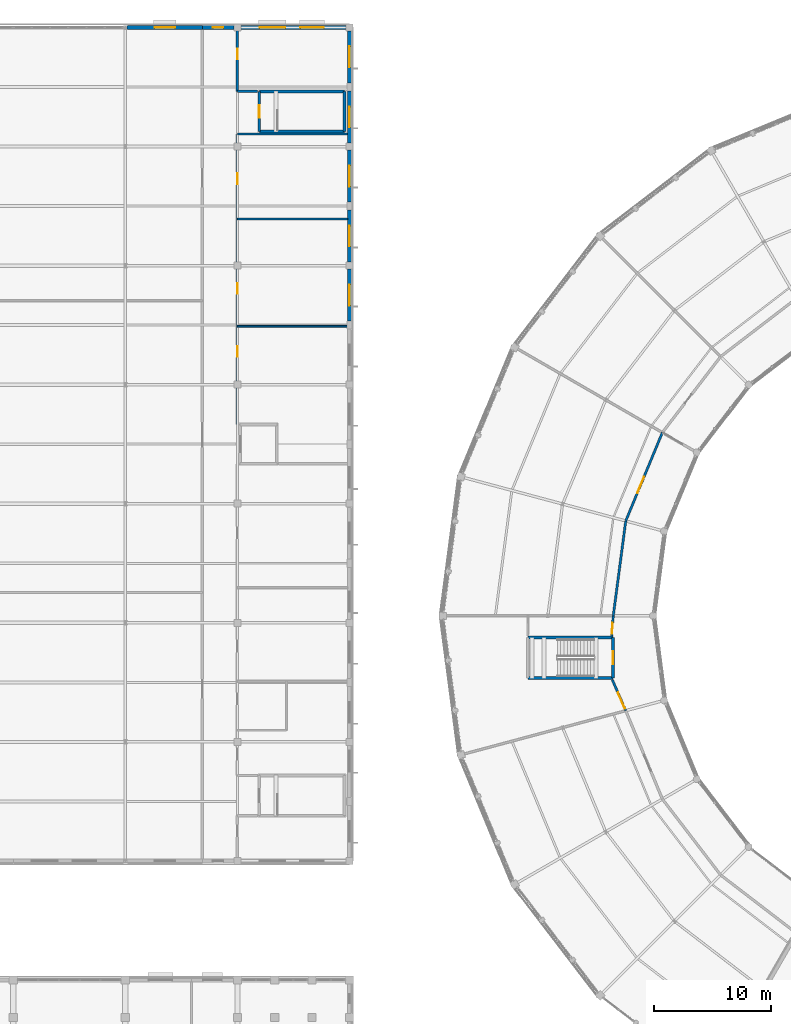
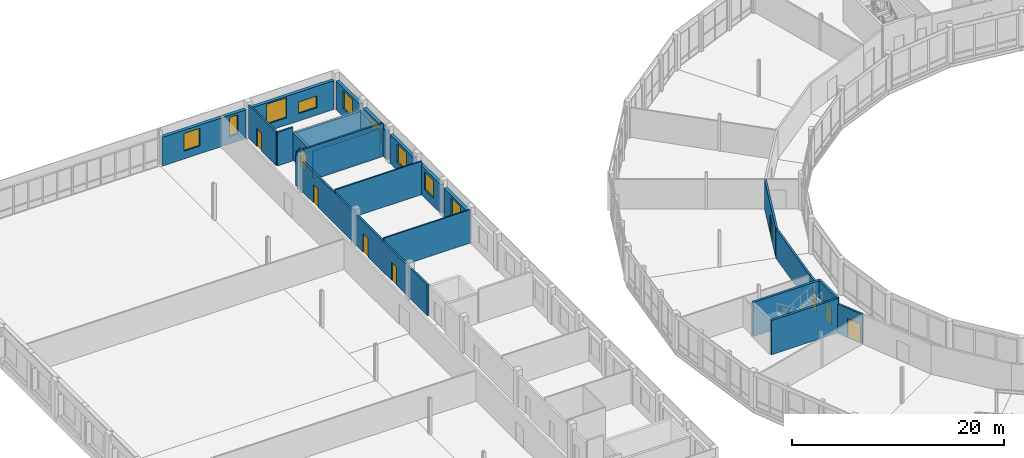
# One storey, part 162 of 185: 25 walls, 9 doors, 9 windows, 18 openings.
"""IFC4 building model written with IfcOpenShell, lengths in metres."""

from ifc_helpers import new_model, si_unit, direction, frame, frame_2d, origin, place, context, subcontext, project, spatial, rectangle, extrude, material, layer, layer_set, type_object, element, fill, save


model = new_model("IFC4")

# Units and contexts
model_context = context("Model", 3, precision=1e-05, world=origin(), true_north=direction((0.0, 1.0)))
body_context = subcontext(model_context, "Body", "Model", "MODEL_VIEW")
ifc_project = project(units=[si_unit("LENGTHUNIT", "METRE"), si_unit("AREAUNIT", "SQUARE_METRE"), si_unit("VOLUMEUNIT", "CUBIC_METRE"), si_unit("PLANEANGLEUNIT", "RADIAN"), si_unit("MASSUNIT", "GRAM", prefix="KILO")], contexts=[model_context])

# Site, building, storey
site_placement = place(None, origin())
site = spatial("IfcSite", under=ifc_project, at=site_placement, CompositionType="ELEMENT")
building_placement = place(site_placement, origin())
building = spatial("IfcBuilding", under=site, at=building_placement, Name="Vondelvale Polytechnic", CompositionType="ELEMENT")
storey_placement = place(building_placement, frame((0.0, 0.0, 9.60009765625)))
storey = spatial("IfcBuildingStorey", under=building, at=storey_placement, Name="L02", CompositionType="ELEMENT", Elevation=9.60009765625)

# Wall, opening, window
ifc_material_1 = material(Name="Amsterdam School iron-spot clinker clay brickwork", Category="masonry")
ifc_layer_1 = layer(ifc_material_1, 0.35009765625)
ifc_layer_set_1 = layer_set([ifc_layer_1], Name="WL-BRICK-350")
wall_type_1 = type_object("IfcWallType", Name="WL-BRICK-350", PredefinedType="SOLIDWALL", material=ifc_layer_set_1)
wall_1_placement = place(storey_placement, frame((48.0, 101.698974609375, 0.0), z_axis=(0.0, 0.0, 1.0), x_axis=(0.0, -1.0, 0.0)))
wall_1 = element("IfcWall", 1, at=wall_1_placement, inside=storey, type_object=wall_type_1, Name="L02 exterior masonry facade wall", PredefinedType="SOLIDWALL", context=body_context, shape_type="SweptSolid", body=[
    extrude(rectangle(XDim=4.447998046875, YDim=0.35009765625, at=frame_2d((2.22412109375, 0.0))), origin(), (0.0, 0.0, 1.0), 3.31982421875),
])
opening_1_placement = place(wall_1_placement, frame((1.323974609375, 0.0, 0.949951171875)))
opening_1 = element("IfcOpeningElement", 2, at=opening_1_placement, cuts=wall_1, Name="Opening WN-0101", PredefinedType="OPENING", context=body_context, shape_type="SweptSolid", body=[
    extrude(rectangle(XDim=1.800048828125, YDim=2.10009765625, at=frame_2d((0.89990234375, 1.050048828125))), frame((0.0, 0.18505859375, 0.0), z_axis=(0.0, -1.0, 0.0), x_axis=(1.0, 0.0, 0.0)), (0.0, 0.0, 1.0), 0.3701171875),
])
ifc_material_2 = material(Name="Double-glazed low-E insulated architectural glass", Category="glass")
window_type_1 = type_object("IfcWindowType", Name="WN-LAB-1800x2100", PartitioningType="SINGLE_PANEL", PredefinedType="WINDOW", material=ifc_material_2)
window_1_placement = place(opening_1_placement, origin())
window_1 = element("IfcWindow", 3, at=window_1_placement, inside=storey, type_object=window_type_1, Name="L02 double-glazed architectural window WN-0101", OverallHeight=2.10009765625, OverallWidth=1.800048828125, PartitioningType="SINGLE_PANEL", PredefinedType="WINDOW", context=body_context, shape_type="SweptSolid", body=[
    extrude(rectangle(XDim=1.800048828125, YDim=2.10009765625, at=frame_2d((0.89990234375, 1.050048828125))), frame((0.0, 0.030029296875, 0.0), z_axis=(0.0, -1.0, 0.0), x_axis=(1.0, 0.0, 0.0)), (0.0, 0.0, 1.0), 0.06005859375),
])
fill(opening_1, window_1)

wall_2_placement = place(storey_placement, frame((48.0, 106.7490234375, 0.0), z_axis=(0.0, 0.0, 1.0), x_axis=(0.0, -1.0, 0.0)))
wall_2 = element("IfcWall", 4, at=wall_2_placement, inside=storey, type_object=wall_type_1, Name="L02 exterior masonry facade wall", PredefinedType="SOLIDWALL", context=body_context, shape_type="SweptSolid", body=[
    extrude(rectangle(XDim=4.447998046875, YDim=0.35009765625, at=frame_2d((2.22412109375, 0.0))), origin(), (0.0, 0.0, 1.0), 3.31982421875),
])
opening_2_placement = place(wall_2_placement, frame((1.34912109375, 0.0, 0.949951171875)))
opening_2 = element("IfcOpeningElement", 5, at=opening_2_placement, cuts=wall_2, Name="Opening WN-0102", PredefinedType="OPENING", context=body_context, shape_type="SweptSolid", body=[
    extrude(rectangle(XDim=1.75, YDim=2.050048828125, at=frame_2d((0.875, 1.02490234375))), frame((0.0, 0.18505859375, 0.0), z_axis=(0.0, -1.0, 0.0), x_axis=(1.0, 0.0, 0.0)), (0.0, 0.0, 1.0), 0.3701171875),
])
window_type_2 = type_object("IfcWindowType", Name="WN-LAB-1750x2050", PartitioningType="SINGLE_PANEL", PredefinedType="WINDOW", material=ifc_material_2)
window_2_placement = place(opening_2_placement, origin())
window_2 = element("IfcWindow", 6, at=window_2_placement, inside=storey, type_object=window_type_2, Name="L02 double-glazed architectural window WN-0102", OverallHeight=2.050048828125, OverallWidth=1.75, PartitioningType="SINGLE_PANEL", PredefinedType="WINDOW", context=body_context, shape_type="SweptSolid", body=[
    extrude(rectangle(XDim=1.75, YDim=2.050048828125, at=frame_2d((0.875, 1.02490234375))), frame((0.0, 0.030029296875, 0.0), z_axis=(0.0, -1.0, 0.0), x_axis=(1.0, 0.0, 0.0)), (0.0, 0.0, 1.0), 0.06005859375),
])
fill(opening_2, window_2)

wall_3_placement = place(storey_placement, frame((48.0, 111.89892578125, 0.0), z_axis=(0.0, 0.0, 1.0), x_axis=(0.0, -1.0, 0.0)))
wall_3 = element("IfcWall", 7, at=wall_3_placement, inside=storey, type_object=wall_type_1, Name="L02 exterior masonry facade wall", PredefinedType="SOLIDWALL", context=body_context, shape_type="SweptSolid", body=[
    extrude(rectangle(XDim=4.447998046875, YDim=0.35009765625, at=frame_2d((2.22412109375, 0.0))), origin(), (0.0, 0.0, 1.0), 3.31982421875),
])
opening_3_placement = place(wall_3_placement, frame((1.323974609375, 0.0, 0.949951171875)))
opening_3 = element("IfcOpeningElement", 8, at=opening_3_placement, cuts=wall_3, Name="Opening WN-0103", PredefinedType="OPENING", context=body_context, shape_type="SweptSolid", body=[
    extrude(rectangle(XDim=1.800048828125, YDim=2.10009765625, at=frame_2d((0.89990234375, 1.050048828125))), frame((0.0, 0.18505859375, 0.0), z_axis=(0.0, -1.0, 0.0), x_axis=(1.0, 0.0, 0.0)), (0.0, 0.0, 1.0), 0.3701171875),
])
window_3_placement = place(opening_3_placement, origin())
window_3 = element("IfcWindow", 9, at=window_3_placement, inside=storey, type_object=window_type_1, Name="L02 double-glazed architectural window WN-0103", OverallHeight=2.10009765625, OverallWidth=1.800048828125, PartitioningType="SINGLE_PANEL", PredefinedType="WINDOW", context=body_context, shape_type="SweptSolid", body=[
    extrude(rectangle(XDim=1.800048828125, YDim=2.10009765625, at=frame_2d((0.89990234375, 1.050048828125))), frame((0.0, 0.030029296875, 0.0), z_axis=(0.0, -1.0, 0.0), x_axis=(1.0, 0.0, 0.0)), (0.0, 0.0, 1.0), 0.06005859375),
])
fill(opening_3, window_3)

wall_4_placement = place(storey_placement, frame((48.0, 116.948974609375, 0.0), z_axis=(0.0, 0.0, 1.0), x_axis=(0.0, -1.0, 0.0)))
wall_4 = element("IfcWall", 10, at=wall_4_placement, inside=storey, type_object=wall_type_1, Name="L02 exterior masonry facade wall", PredefinedType="SOLIDWALL", context=body_context, shape_type="SweptSolid", body=[
    extrude(rectangle(XDim=4.447998046875, YDim=0.35009765625, at=frame_2d((2.22412109375, 0.0))), origin(), (0.0, 0.0, 1.0), 3.31982421875),
])
opening_4_placement = place(wall_4_placement, frame((1.34912109375, 0.0, 0.949951171875)))
opening_4 = element("IfcOpeningElement", 11, at=opening_4_placement, cuts=wall_4, Name="Opening WN-0104", PredefinedType="OPENING", context=body_context, shape_type="SweptSolid", body=[
    extrude(rectangle(XDim=1.75, YDim=2.050048828125, at=frame_2d((0.875, 1.02490234375))), frame((0.0, 0.18505859375, 0.0), z_axis=(0.0, -1.0, 0.0), x_axis=(1.0, 0.0, 0.0)), (0.0, 0.0, 1.0), 0.3701171875),
])
window_4_placement = place(opening_4_placement, origin())
window_4 = element("IfcWindow", 12, at=window_4_placement, inside=storey, type_object=window_type_2, Name="L02 double-glazed architectural window WN-0104", OverallHeight=2.050048828125, OverallWidth=1.75, PartitioningType="SINGLE_PANEL", PredefinedType="WINDOW", context=body_context, shape_type="SweptSolid", body=[
    extrude(rectangle(XDim=1.75, YDim=2.050048828125, at=frame_2d((0.875, 1.02490234375))), frame((0.0, 0.030029296875, 0.0), z_axis=(0.0, -1.0, 0.0), x_axis=(1.0, 0.0, 0.0)), (0.0, 0.0, 1.0), 0.06005859375),
])
fill(opening_4, window_4)

wall_5_placement = place(storey_placement, frame((48.0, 122.09912109375, 0.0), z_axis=(0.0, 0.0, 1.0), x_axis=(0.0, -1.0, 0.0)))
wall_5 = element("IfcWall", 13, at=wall_5_placement, inside=storey, type_object=wall_type_1, Name="L02 exterior masonry facade wall", PredefinedType="SOLIDWALL", context=body_context, shape_type="SweptSolid", body=[
    extrude(rectangle(XDim=4.4482421875, YDim=0.35009765625, at=frame_2d((2.22412109375, 0.0))), origin(), (0.0, 0.0, 1.0), 3.31982421875),
])
opening_5_placement = place(wall_5_placement, frame((1.323974609375, 0.0, 0.949951171875)))
opening_5 = element("IfcOpeningElement", 14, at=opening_5_placement, cuts=wall_5, Name="Opening WN-0105", PredefinedType="OPENING", context=body_context, shape_type="SweptSolid", body=[
    extrude(rectangle(XDim=1.800048828125, YDim=2.10009765625, at=frame_2d((0.89990234375, 1.050048828125))), frame((0.0, 0.18505859375, 0.0), z_axis=(0.0, -1.0, 0.0), x_axis=(1.0, 0.0, 0.0)), (0.0, 0.0, 1.0), 0.3701171875),
])
window_5_placement = place(opening_5_placement, origin())
window_5 = element("IfcWindow", 15, at=window_5_placement, inside=storey, type_object=window_type_1, Name="L02 double-glazed architectural window WN-0105", OverallHeight=2.10009765625, OverallWidth=1.800048828125, PartitioningType="SINGLE_PANEL", PredefinedType="WINDOW", context=body_context, shape_type="SweptSolid", body=[
    extrude(rectangle(XDim=1.800048828125, YDim=2.10009765625, at=frame_2d((0.89990234375, 1.050048828125))), frame((0.0, 0.030029296875, 0.0), z_axis=(0.0, -1.0, 0.0), x_axis=(1.0, 0.0, 0.0)), (0.0, 0.0, 1.0), 0.06005859375),
])
fill(opening_5, window_5)

wall_6_placement = place(storey_placement, frame((28.964599609375, 122.39990234375, 0.0), z_axis=(0.0, 0.0, 1.0), x_axis=(1.0, 0.0, 0.0)))
wall_6 = element("IfcWall", 16, at=wall_6_placement, inside=storey, type_object=wall_type_1, Name="L02 exterior masonry facade wall", PredefinedType="SOLIDWALL", context=body_context, shape_type="SweptSolid", body=[
    extrude(rectangle(XDim=6.435302734375, YDim=0.35009765625, at=frame_2d((3.2177734375, 0.0))), origin(), (0.0, 0.0, 1.0), 3.31982421875),
])
opening_6_placement = place(wall_6_placement, frame((2.3427734375, 0.0, 0.89990234375)))
opening_6 = element("IfcOpeningElement", 17, at=opening_6_placement, cuts=wall_6, Name="Opening WN-0116", PredefinedType="OPENING", context=body_context, shape_type="SweptSolid", body=[
    extrude(rectangle(XDim=1.75, YDim=2.050048828125, at=frame_2d((0.875, 1.02490234375))), frame((0.0, 0.18505859375, 0.0), z_axis=(0.0, -1.0, 0.0), x_axis=(1.0, 0.0, 0.0)), (0.0, 0.0, 1.0), 0.3701171875),
])
window_6_placement = place(opening_6_placement, origin())
window_6 = element("IfcWindow", 18, at=window_6_placement, inside=storey, type_object=window_type_2, Name="L02 double-glazed architectural window WN-0116", OverallHeight=2.050048828125, OverallWidth=1.75, PartitioningType="SINGLE_PANEL", PredefinedType="WINDOW", context=body_context, shape_type="SweptSolid", body=[
    extrude(rectangle(XDim=1.75, YDim=2.050048828125, at=frame_2d((0.875, 1.02490234375))), frame((0.0, 0.030029296875, 0.0), z_axis=(0.0, -1.0, 0.0), x_axis=(1.0, 0.0, 0.0)), (0.0, 0.0, 1.0), 0.06005859375),
])
fill(opening_6, window_6)

wall_7_placement = place(storey_placement, frame((35.39990234375, 122.39990234375, 0.0), z_axis=(0.0, 0.0, 1.0), x_axis=(1.0, 0.0, 0.0)))
wall_7 = element("IfcWall", 19, at=wall_7_placement, inside=storey, type_object=wall_type_1, Name="L02 exterior masonry facade wall", PredefinedType="SOLIDWALL", context=body_context, shape_type="SweptSolid", body=[
    extrude(rectangle(XDim=2.69921875, YDim=0.35009765625, at=frame_2d((1.349609375, 0.0))), origin(), (0.0, 0.0, 1.0), 3.31982421875),
])
opening_7_placement = place(wall_7_placement, frame((0.8994140625, 0.0, 0.85009765625)))
opening_7 = element("IfcOpeningElement", 20, at=opening_7_placement, cuts=wall_7, Name="Opening WN-0117", PredefinedType="OPENING", context=body_context, shape_type="SweptSolid", body=[
    extrude(rectangle(XDim=0.89990234375, YDim=2.199951171875, at=frame_2d((0.449951171875, 1.10009765625))), frame((0.0, 0.18505859375, 0.0), z_axis=(0.0, -1.0, 0.0), x_axis=(1.0, 0.0, 0.0)), (0.0, 0.0, 1.0), 0.3701171875),
])
window_type_3 = type_object("IfcWindowType", Name="WN-TUR-0900x2200", PartitioningType="SINGLE_PANEL", PredefinedType="WINDOW", material=ifc_material_2)
window_7_placement = place(opening_7_placement, origin())
window_7 = element("IfcWindow", 21, at=window_7_placement, inside=storey, type_object=window_type_3, Name="L02 double-glazed architectural window WN-0117", OverallHeight=2.199951171875, OverallWidth=0.89990234375, PartitioningType="SINGLE_PANEL", PredefinedType="WINDOW", context=body_context, shape_type="SweptSolid", body=[
    extrude(rectangle(XDim=0.89990234375, YDim=2.199951171875, at=frame_2d((0.449951171875, 1.10009765625))), frame((0.0, 0.030029296875, 0.0), z_axis=(0.0, -1.0, 0.0), x_axis=(1.0, 0.0, 0.0)), (0.0, 0.0, 1.0), 0.06005859375),
])
fill(opening_7, window_7)

# Wall, openings, windows
wall_8_placement = place(storey_placement, frame((38.700927734375, 122.39990234375, 0.0), z_axis=(0.0, 0.0, 1.0), x_axis=(1.0, 0.0, 0.0)))
wall_8 = element("IfcWall", 22, at=wall_8_placement, inside=storey, type_object=wall_type_1, Name="L02 exterior masonry facade wall", PredefinedType="SOLIDWALL", context=body_context, shape_type="SweptSolid", body=[
    extrude(rectangle(XDim=8.998046875, YDim=0.35009765625, at=frame_2d((4.4990234375, 0.0))), origin(), (0.0, 0.0, 1.0), 3.31982421875),
])
opening_8_placement = place(wall_8_placement, frame((1.60009765625, 0.0, 0.85009765625)))
opening_8 = element("IfcOpeningElement", 23, at=opening_8_placement, cuts=wall_8, Name="Opening WN-0118", PredefinedType="OPENING", context=body_context, shape_type="SweptSolid", body=[
    extrude(rectangle(XDim=2.199951171875, YDim=2.300048828125, at=frame_2d((1.10009765625, 1.14990234375))), frame((0.0, 0.18505859375, 0.0), z_axis=(0.0, -1.0, 0.0), x_axis=(1.0, 0.0, 0.0)), (0.0, 0.0, 1.0), 0.3701171875),
])
opening_9_placement = place(wall_8_placement, frame((5.10009765625, 0.0, 0.85009765625)))
opening_9 = element("IfcOpeningElement", 24, at=opening_9_placement, cuts=wall_8, Name="Opening WN-0119", PredefinedType="OPENING", context=body_context, shape_type="SweptSolid", body=[
    extrude(rectangle(XDim=2.0, YDim=1.35009765625, at=frame_2d((1.0, 0.675048828125))), frame((0.0, 0.18505859375, 0.0), z_axis=(0.0, -1.0, 0.0), x_axis=(1.0, 0.0, 0.0)), (0.0, 0.0, 1.0), 0.3701171875),
])
window_type_4 = type_object("IfcWindowType", Name="WN-RIB-2000x1350", PartitioningType="SINGLE_PANEL", PredefinedType="WINDOW", material=ifc_material_2)
window_8_placement = place(opening_9_placement, origin())
window_8 = element("IfcWindow", 25, at=window_8_placement, inside=storey, type_object=window_type_4, Name="L02 double-glazed architectural window WN-0119", OverallHeight=1.35009765625, OverallWidth=2.0, PartitioningType="SINGLE_PANEL", PredefinedType="WINDOW", context=body_context, shape_type="SweptSolid", body=[
    extrude(rectangle(XDim=2.0, YDim=1.35009765625, at=frame_2d((1.0, 0.675048828125))), frame((0.0, 0.030029296875, 0.0), z_axis=(0.0, -1.0, 0.0), x_axis=(1.0, 0.0, 0.0)), (0.0, 0.0, 1.0), 0.06005859375),
])
fill(opening_9, window_8)
window_type_5 = type_object("IfcWindowType", Name="WN-STUDIO-2200x2300", PartitioningType="SINGLE_PANEL", PredefinedType="WINDOW", material=ifc_material_2)
window_9_placement = place(opening_8_placement, origin())
window_9 = element("IfcWindow", 26, at=window_9_placement, inside=storey, type_object=window_type_5, Name="L02 double-glazed architectural window WN-0118", OverallHeight=2.300048828125, OverallWidth=2.199951171875, PartitioningType="SINGLE_PANEL", PredefinedType="WINDOW", context=body_context, shape_type="SweptSolid", body=[
    extrude(rectangle(XDim=2.199951171875, YDim=2.300048828125, at=frame_2d((1.10009765625, 1.14990234375))), frame((0.0, 0.030029296875, 0.0), z_axis=(0.0, -1.0, 0.0), x_axis=(1.0, 0.0, 0.0)), (0.0, 0.0, 1.0), 0.06005859375),
])
fill(opening_8, window_9)

# Walls
ifc_material_3 = material(Name="Concrete N40 (f'c = 40 MPa)", Category="concrete")
ifc_layer_2 = layer(ifc_material_3, 0.25)
ifc_layer_set_2 = layer_set([ifc_layer_2], Name="WL-CORE-250")
wall_type_2 = type_object("IfcWallType", Name="WL-CORE-250", PredefinedType="SOLIDWALL", material=ifc_layer_set_2)
wall_9_placement = place(storey_placement, frame((40.27490234375, 113.47509765625, 0.0), z_axis=(0.0, 0.0, 1.0), x_axis=(1.0, 0.0, 0.0)))
element("IfcWall", 27, at=wall_9_placement, inside=storey, type_object=wall_type_2, Name="L02 ST-02 reinforced concrete stair core wall", PredefinedType="SOLIDWALL", context=body_context, shape_type="SweptSolid", body=[
    extrude(rectangle(XDim=7.300048828125, YDim=0.25, at=frame_2d((3.64990234375, 0.0))), origin(), (0.0, 0.0, 1.0), 3.14990234375),
])
wall_10_placement = place(storey_placement, frame((47.574951171875, 113.47509765625, 0.0), z_axis=(0.0, 0.0, 1.0), x_axis=(0.0, 1.0, 0.0)))
element("IfcWall", 28, at=wall_10_placement, inside=storey, type_object=wall_type_2, Name="L02 ST-02 reinforced concrete stair core wall", PredefinedType="SOLIDWALL", context=body_context, shape_type="SweptSolid", body=[
    extrude(rectangle(XDim=3.449951171875, YDim=0.25, at=frame_2d((1.72509765625, 0.0))), origin(), (0.0, 0.0, 1.0), 3.14990234375),
])
wall_11_placement = place(storey_placement, frame((47.574951171875, 116.925048828125, 0.0), z_axis=(0.0, 0.0, 1.0), x_axis=(-1.0, 0.0, 0.0)))
element("IfcWall", 29, at=wall_11_placement, inside=storey, type_object=wall_type_2, Name="L02 ST-02 reinforced concrete stair core wall", PredefinedType="SOLIDWALL", context=body_context, shape_type="SweptSolid", body=[
    extrude(rectangle(XDim=7.300048828125, YDim=0.25, at=frame_2d((3.64990234375, 0.0))), origin(), (0.0, 0.0, 1.0), 3.14990234375),
])

# Wall, opening, door
wall_12_placement = place(storey_placement, frame((40.27490234375, 116.925048828125, 0.0), z_axis=(0.0, 0.0, 1.0), x_axis=(0.0, -1.0, 0.0)))
wall_12 = element("IfcWall", 30, at=wall_12_placement, inside=storey, type_object=wall_type_2, Name="L02 ST-02 reinforced concrete stair core wall", PredefinedType="SOLIDWALL", context=body_context, shape_type="SweptSolid", body=[
    extrude(rectangle(XDim=3.449951171875, YDim=0.25, at=frame_2d((1.72509765625, 0.0))), origin(), (0.0, 0.0, 1.0), 3.14990234375),
])
opening_10_placement = place(wall_12_placement, frame((1.175048828125, 0.0, 0.0)))
opening_10 = element("IfcOpeningElement", 31, at=opening_10_placement, cuts=wall_12, Name="Opening SD-008", PredefinedType="OPENING", context=body_context, shape_type="SweptSolid", body=[
    extrude(rectangle(XDim=1.10009765625, YDim=2.199951171875, at=frame_2d((0.550048828125, 1.10009765625))), frame((0.0, 0.135009765625, 0.0), z_axis=(0.0, -1.0, 0.0), x_axis=(1.0, 0.0, 0.0)), (0.0, 0.0, 1.0), 0.27001953125),
])
ifc_material_4 = material(Name="Brushed architectural stainless and zinc-coated metal")
door_type_1 = type_object("IfcDoorType", Name="DR-STAIR-1100x2200", OperationType="SINGLE_SWING_LEFT", PredefinedType="DOOR", material=ifc_material_4)
door_1_placement = place(opening_10_placement, origin())
door_1 = element("IfcDoor", 32, at=door_1_placement, inside=storey, type_object=door_type_1, Name="L02 ST-02 fire-isolated stair door", OperationType="SINGLE_SWING_RIGHT", OverallHeight=2.199951171875, OverallWidth=1.10009765625, PredefinedType="DOOR", context=body_context, shape_type="SweptSolid", body=[
    extrude(rectangle(XDim=1.10009765625, YDim=2.199951171875, at=frame_2d((0.550048828125, 1.10009765625))), frame((0.0, 0.02490234375, 0.0), z_axis=(0.0, -1.0, 0.0), x_axis=(1.0, 0.0, 0.0)), (0.0, 0.0, 1.0), 0.050048828125),
])
fill(opening_10, door_1)

# Walls
for number, where, z_axis, x_axis, name in (
    (33, (70.574951171875, 70.125, 0.0), (0.0, 0.0, 1.0), (-1.0, 0.0, 0.0), "L02 ST-10 reinforced concrete stair core wall"),
    (34, (63.27490234375, 66.675048828125, 0.0), (0.0, 0.0, 1.0), (1.0, 0.0, 0.0), "L02 ST-10 reinforced concrete stair core wall"),
):
    element("IfcWall", number, at=place(storey_placement, frame(where, z_axis=z_axis, x_axis=x_axis)), inside=storey, type_object=wall_type_2, Name=name, PredefinedType="SOLIDWALL", context=body_context, shape_type="SweptSolid", body=[
        extrude(rectangle(XDim=7.300048828125, YDim=0.25, at=frame_2d((3.64990234375, 0.0))), origin(), (0.0, 0.0, 1.0), 3.949951171875),
    ])

# Wall, opening, door
wall_13_placement = place(storey_placement, frame((70.574951171875, 66.675048828125, 0.0), z_axis=(0.0, 0.0, 1.0), x_axis=(0.0, 1.0, 0.0)))
wall_13 = element("IfcWall", 35, at=wall_13_placement, inside=storey, type_object=wall_type_2, Name="L02 ST-10 reinforced concrete stair core wall", PredefinedType="SOLIDWALL", context=body_context, shape_type="SweptSolid", body=[
    extrude(rectangle(XDim=3.449951171875, YDim=0.25, at=frame_2d((1.72509765625, 0.0))), origin(), (0.0, 0.0, 1.0), 3.949951171875),
])
opening_11_placement = place(wall_13_placement, frame((1.175048828125, 0.0, 0.0)))
opening_11 = element("IfcOpeningElement", 36, at=opening_11_placement, cuts=wall_13, Name="Opening SD-054", PredefinedType="OPENING", context=body_context, shape_type="SweptSolid", body=[
    extrude(rectangle(XDim=1.10009765625, YDim=2.199951171875, at=frame_2d((0.550048828125, 1.10009765625))), frame((0.0, 0.135009765625, 0.0), z_axis=(0.0, -1.0, 0.0), x_axis=(1.0, 0.0, 0.0)), (0.0, 0.0, 1.0), 0.27001953125),
])
door_2_placement = place(opening_11_placement, origin())
door_2 = element("IfcDoor", 37, at=door_2_placement, inside=storey, type_object=door_type_1, Name="L02 ST-10 fire-isolated stair door", OperationType="SINGLE_SWING_RIGHT", OverallHeight=2.199951171875, OverallWidth=1.10009765625, PredefinedType="DOOR", context=body_context, shape_type="SweptSolid", body=[
    extrude(rectangle(XDim=1.10009765625, YDim=2.199951171875, at=frame_2d((0.550048828125, 1.10009765625))), frame((0.0, 0.02490234375, 0.0), z_axis=(0.0, -1.0, 0.0), x_axis=(1.0, 0.0, 0.0)), (0.0, 0.0, 1.0), 0.050048828125),
])
fill(opening_11, door_2)

# Wall, openings, doors
ifc_material_5 = material(Name="Fire-rated double-layer plasterboard stud partition")
ifc_layer_3 = layer(ifc_material_5, 0.199951171875)
ifc_layer_set_3 = layer_set([ifc_layer_3], Name="WL-CORR-200")
wall_type_3 = type_object("IfcWallType", Name="WL-CORR-200", PredefinedType="PARTITIONING", material=ifc_layer_set_3)
wall_14_placement = place(storey_placement, frame((38.39990234375, 88.375, 0.0), z_axis=(0.0, 0.0, 1.0), x_axis=(0.0, 1.0, 0.0)))
wall_14 = element("IfcWall", 38, at=wall_14_placement, inside=storey, type_object=wall_type_3, Name="L02 interior acoustic partition", PredefinedType="PARTITIONING", context=body_context, shape_type="SweptSolid", body=[
    extrude(rectangle(XDim=24.89990234375, YDim=0.199951171875, at=frame_2d((12.449951171875, 0.0))), origin(), (0.0, 0.0, 1.0), 3.559814453125),
])
opening_12_placement = place(wall_14_placement, frame((5.800048828125, 0.0, 0.0)))
opening_12 = element("IfcOpeningElement", 39, at=opening_12_placement, cuts=wall_14, Name="Opening ID-0125", PredefinedType="OPENING", context=body_context, shape_type="SweptSolid", body=[
    extrude(rectangle(XDim=0.919921875, YDim=2.10009765625, at=frame_2d((0.4599609375, 1.050048828125))), frame((0.0, 0.10986328125, 0.0), z_axis=(0.0, -1.0, 0.0), x_axis=(1.0, 0.0, 0.0)), (0.0, 0.0, 1.0), 0.219970703125),
])
opening_13_placement = place(wall_14_placement, frame((11.199951171875, 0.0, 0.0)))
opening_13 = element("IfcOpeningElement", 40, at=opening_13_placement, cuts=wall_14, Name="Opening ID-0126", PredefinedType="OPENING", context=body_context, shape_type="SweptSolid", body=[
    extrude(rectangle(XDim=0.919921875, YDim=2.10009765625, at=frame_2d((0.4599609375, 1.050048828125))), frame((0.0, 0.10986328125, 0.0), z_axis=(0.0, -1.0, 0.0), x_axis=(1.0, 0.0, 0.0)), (0.0, 0.0, 1.0), 0.219970703125),
])
opening_14_placement = place(wall_14_placement, frame((20.60009765625, 0.0, 0.0)))
opening_14 = element("IfcOpeningElement", 41, at=opening_14_placement, cuts=wall_14, Name="Opening ID-0127", PredefinedType="OPENING", context=body_context, shape_type="SweptSolid", body=[
    extrude(rectangle(XDim=0.919921875, YDim=2.10009765625, at=frame_2d((0.4599609375, 1.050048828125))), frame((0.0, 0.10986328125, 0.0), z_axis=(0.0, -1.0, 0.0), x_axis=(1.0, 0.0, 0.0)), (0.0, 0.0, 1.0), 0.219970703125),
])
ifc_material_6 = material(Name="Fire-rated solid Tasmanian oak joinery")
door_type_2 = type_object("IfcDoorType", Name="DR-INT-0920x2100", OperationType="SINGLE_SWING_LEFT", PredefinedType="DOOR", material=ifc_material_6)
door_3_placement = place(opening_12_placement, origin())
door_3 = element("IfcDoor", 42, at=door_3_placement, inside=storey, type_object=door_type_2, Name="L02 interior room door ID-0125", OperationType="SINGLE_SWING_LEFT", OverallHeight=2.10009765625, OverallWidth=0.919921875, PredefinedType="DOOR", context=body_context, shape_type="SweptSolid", body=[
    extrude(rectangle(XDim=0.919921875, YDim=2.10009765625, at=frame_2d((0.4599609375, 1.050048828125))), frame((0.0, 0.02490234375, 0.0), z_axis=(0.0, -1.0, 0.0), x_axis=(1.0, 0.0, 0.0)), (0.0, 0.0, 1.0), 0.050048828125),
])
fill(opening_12, door_3)
door_4_placement = place(opening_13_placement, origin())
door_4 = element("IfcDoor", 43, at=door_4_placement, inside=storey, type_object=door_type_2, Name="L02 interior room door ID-0126", OperationType="SINGLE_SWING_RIGHT", OverallHeight=2.10009765625, OverallWidth=0.919921875, PredefinedType="DOOR", context=body_context, shape_type="SweptSolid", body=[
    extrude(rectangle(XDim=0.919921875, YDim=2.10009765625, at=frame_2d((0.4599609375, 1.050048828125))), frame((0.0, 0.02490234375, 0.0), z_axis=(0.0, -1.0, 0.0), x_axis=(1.0, 0.0, 0.0)), (0.0, 0.0, 1.0), 0.050048828125),
])
fill(opening_13, door_4)
door_5_placement = place(opening_14_placement, origin())
door_5 = element("IfcDoor", 44, at=door_5_placement, inside=storey, type_object=door_type_2, Name="L02 interior room door ID-0127", OperationType="SINGLE_SWING_LEFT", OverallHeight=2.10009765625, OverallWidth=0.919921875, PredefinedType="DOOR", context=body_context, shape_type="SweptSolid", body=[
    extrude(rectangle(XDim=0.919921875, YDim=2.10009765625, at=frame_2d((0.4599609375, 1.050048828125))), frame((0.0, 0.02490234375, 0.0), z_axis=(0.0, -1.0, 0.0), x_axis=(1.0, 0.0, 0.0)), (0.0, 0.0, 1.0), 0.050048828125),
])
fill(opening_14, door_5)

# Walls
wall_15_placement = place(storey_placement, frame((38.39990234375, 113.27490234375, 0.0), z_axis=(0.0, 0.0, 1.0), x_axis=(1.0, 0.0, 0.0)))
element("IfcWall", 45, at=wall_15_placement, inside=storey, type_object=wall_type_3, Name="L02 interior acoustic partition", PredefinedType="PARTITIONING", context=body_context, shape_type="SweptSolid", body=[
    extrude(rectangle(XDim=9.4501953125, YDim=0.199951171875, at=frame_2d((4.72509765625, 0.0))), origin(), (0.0, 0.0, 1.0), 3.849853515625),
])
wall_16_placement = place(storey_placement, frame((38.39990234375, 116.925048828125, 0.0), z_axis=(0.0, 0.0, 1.0), x_axis=(1.0, 0.0, 0.0)))
element("IfcWall", 46, at=wall_16_placement, inside=storey, type_object=wall_type_3, Name="L02 interior acoustic partition", PredefinedType="PARTITIONING", context=body_context, shape_type="SweptSolid", body=[
    extrude(rectangle(XDim=1.710205078125, YDim=0.199951171875, at=frame_2d((0.85498046875, 0.0))), origin(), (0.0, 0.0, 1.0), 3.849853515625),
])

# Wall, opening, door
wall_17_placement = place(storey_placement, frame((38.39990234375, 116.925048828125, 0.0), z_axis=(0.0, 0.0, 1.0), x_axis=(0.0, 1.0, 0.0)))
wall_17 = element("IfcWall", 47, at=wall_17_placement, inside=storey, type_object=wall_type_3, Name="L02 interior acoustic partition", PredefinedType="PARTITIONING", context=body_context, shape_type="SweptSolid", body=[
    extrude(rectangle(XDim=5.324951171875, YDim=0.199951171875, at=frame_2d((2.66259765625, 0.0))), origin(), (0.0, 0.0, 1.0), 3.849853515625),
])
opening_15_placement = place(wall_17_placement, frame((2.75, 0.0, 0.0)))
opening_15 = element("IfcOpeningElement", 48, at=opening_15_placement, cuts=wall_17, Name="Opening ID-0128", PredefinedType="OPENING", context=body_context, shape_type="SweptSolid", body=[
    extrude(rectangle(XDim=0.919921875, YDim=2.10009765625, at=frame_2d((0.4599609375, 1.050048828125))), frame((0.0, 0.10986328125, 0.0), z_axis=(0.0, -1.0, 0.0), x_axis=(1.0, 0.0, 0.0)), (0.0, 0.0, 1.0), 0.219970703125),
])
door_6_placement = place(opening_15_placement, origin())
door_6 = element("IfcDoor", 49, at=door_6_placement, inside=storey, type_object=door_type_2, Name="L02 interior room door ID-0128", OperationType="SINGLE_SWING_RIGHT", OverallHeight=2.10009765625, OverallWidth=0.919921875, PredefinedType="DOOR", context=body_context, shape_type="SweptSolid", body=[
    extrude(rectangle(XDim=0.919921875, YDim=2.10009765625, at=frame_2d((0.4599609375, 1.050048828125))), frame((0.0, 0.02490234375, 0.0), z_axis=(0.0, -1.0, 0.0), x_axis=(1.0, 0.0, 0.0)), (0.0, 0.0, 1.0), 0.050048828125),
])
fill(opening_15, door_6)

wall_18_placement = place(storey_placement, frame((70.60009765625, 72.0, 0.0), z_axis=(0.0, 0.0, 1.0), x_axis=(-0.07984138391, -0.996807580938, 0.0)))
wall_18 = element("IfcWall", 50, at=wall_18_placement, inside=storey, type_object=wall_type_3, Name="L02 interior acoustic partition", PredefinedType="PARTITIONING", context=body_context, shape_type="SweptSolid", body=[
    extrude(rectangle(XDim=1.71533203125, YDim=0.199951171875, at=frame_2d((0.857666015625, 0.0))), origin(), (0.0, 0.0, 1.0), 3.40185546875),
])
opening_16_placement = place(wall_18_placement, frame((0.60546875, 0.0, 0.0)))
opening_16 = element("IfcOpeningElement", 51, at=opening_16_placement, cuts=wall_18, Name="Opening ID-0326", PredefinedType="OPENING", context=body_context, shape_type="SweptSolid", body=[
    extrude(rectangle(XDim=0.919921875, YDim=2.10009765625, at=frame_2d((0.4599609375, 1.050048828125))), frame((0.0, 0.10986328125, 0.0), z_axis=(0.0, -1.0, 0.0), x_axis=(1.0, 0.0, 0.0)), (0.0, 0.0, 1.0), 0.219970703125),
])
door_7_placement = place(opening_16_placement, origin())
door_7 = element("IfcDoor", 52, at=door_7_placement, inside=storey, type_object=door_type_2, Name="L02 interior room door ID-0326", OperationType="SINGLE_SWING_RIGHT", OverallHeight=2.10009765625, OverallWidth=0.919921875, PredefinedType="DOOR", context=body_context, shape_type="SweptSolid", body=[
    extrude(rectangle(XDim=0.919921875, YDim=2.10009765625, at=frame_2d((0.4599609375, 1.050048828125))), frame((0.0, 0.02490234375, 0.0), z_axis=(0.0, -1.0, 0.0), x_axis=(1.0, 0.0, 0.0)), (0.0, 0.0, 1.0), 0.050048828125),
])
fill(opening_16, door_7)

wall_19_placement = place(storey_placement, frame((70.521728515625, 66.510009765625, 0.0), z_axis=(0.0, 0.0, 1.0), x_axis=(0.399219580964, -0.916855346374, 0.0)))
wall_19 = element("IfcWall", 53, at=wall_19_placement, inside=storey, type_object=wall_type_3, Name="L02 interior acoustic partition", PredefinedType="PARTITIONING", context=body_context, shape_type="SweptSolid", body=[
    extrude(rectangle(XDim=2.8759765625, YDim=0.199951171875, at=frame_2d((1.43798828125, 0.0))), origin(), (0.0, 0.0, 1.0), 3.40185546875),
])
opening_17_placement = place(wall_19_placement, frame((1.170166015625, 0.0, 0.0)))
opening_17 = element("IfcOpeningElement", 54, at=opening_17_placement, cuts=wall_19, Name="Opening ID-0327", PredefinedType="OPENING", context=body_context, shape_type="SweptSolid", body=[
    extrude(rectangle(XDim=1.5, YDim=2.199951171875, at=frame_2d((0.75, 1.10009765625))), frame((0.0, 0.10986328125, 0.0), z_axis=(0.0, -1.0, 0.0), x_axis=(1.0, 0.0, 0.0)), (0.0, 0.0, 1.0), 0.219970703125),
])
door_type_3 = type_object("IfcDoorType", Name="DR-LAB-1500x2200", OperationType="DOUBLE_DOOR_SINGLE_SWING", PredefinedType="DOOR", material=ifc_material_6)
door_8_placement = place(opening_17_placement, origin())
door_8 = element("IfcDoor", 55, at=door_8_placement, inside=storey, type_object=door_type_3, Name="L02 interior room door ID-0327", OperationType="DOUBLE_DOOR_SINGLE_SWING", OverallHeight=2.199951171875, OverallWidth=1.5, PredefinedType="DOOR", context=body_context, shape_type="SweptSolid", body=[
    extrude(rectangle(XDim=1.5, YDim=2.199951171875, at=frame_2d((0.75, 1.10009765625))), frame((0.0, 0.02490234375, 0.0), z_axis=(0.0, -1.0, 0.0), x_axis=(1.0, 0.0, 0.0)), (0.0, 0.0, 1.0), 0.050048828125),
])
fill(opening_17, door_8)

wall_20_placement = place(storey_placement, frame((74.806884765625, 87.699951171875, 0.0), z_axis=(0.0, 0.0, 1.0), x_axis=(-0.382696385238, -0.923874167149, 0.0)))
wall_20 = element("IfcWall", 56, at=wall_20_placement, inside=storey, type_object=wall_type_3, Name="L02 interior acoustic partition", PredefinedType="PARTITIONING", context=body_context, shape_type="SweptSolid", body=[
    extrude(rectangle(XDim=8.197021484375, YDim=0.199951171875, at=frame_2d((4.0986328125, 0.0))), origin(), (0.0, 0.0, 1.0), 3.40185546875),
])
opening_18_placement = place(wall_20_placement, frame((4.10009765625, 0.0, 0.0)))
opening_18 = element("IfcOpeningElement", 57, at=opening_18_placement, cuts=wall_20, Name="Opening ID-0340", PredefinedType="OPENING", context=body_context, shape_type="SweptSolid", body=[
    extrude(rectangle(XDim=1.5, YDim=2.199951171875, at=frame_2d((0.75, 1.10009765625))), frame((0.0, 0.10986328125, 0.0), z_axis=(0.0, -1.0, 0.0), x_axis=(1.0, 0.0, 0.0)), (0.0, 0.0, 1.0), 0.219970703125),
])
door_9_placement = place(opening_18_placement, origin())
door_9 = element("IfcDoor", 58, at=door_9_placement, inside=storey, type_object=door_type_3, Name="L02 interior room door ID-0340", OperationType="DOUBLE_DOOR_SINGLE_SWING", OverallHeight=2.199951171875, OverallWidth=1.5, PredefinedType="DOOR", context=body_context, shape_type="SweptSolid", body=[
    extrude(rectangle(XDim=1.5, YDim=2.199951171875, at=frame_2d((0.75, 1.10009765625))), frame((0.0, 0.02490234375, 0.0), z_axis=(0.0, -1.0, 0.0), x_axis=(1.0, 0.0, 0.0)), (0.0, 0.0, 1.0), 0.050048828125),
])
fill(opening_18, door_9)

# Walls
wall_21_placement = place(storey_placement, frame((71.669921875, 80.126953125, 0.0), z_axis=(0.0, 0.0, 1.0), x_axis=(-0.130513066404, -0.991446589332, 0.0)))
element("IfcWall", 59, at=wall_21_placement, inside=storey, type_object=wall_type_3, Name="L02 interior acoustic partition", PredefinedType="PARTITIONING", context=body_context, shape_type="SweptSolid", body=[
    extrude(rectangle(XDim=8.197021484375, YDim=0.199951171875, at=frame_2d((4.0986328125, 0.0))), origin(), (0.0, 0.0, 1.0), 3.40185546875),
])
ifc_layer_4 = layer(ifc_material_5, 0.14990234375)
ifc_layer_set_4 = layer_set([ifc_layer_4], Name="WL-INT-150")
wall_type_4 = type_object("IfcWallType", Name="WL-INT-150", PredefinedType="PARTITIONING", material=ifc_layer_set_4)
for number, where, z_axis, x_axis, name in (
    (60, (38.39990234375, 96.800048828125, 0.0), (0.0, 0.0, 1.0), (1.0, 0.0, 0.0), "L02 interior acoustic partition"),
    (61, (38.39990234375, 106.0, 0.0), (0.0, 0.0, 1.0), (1.0, 0.0, 0.0), "L02 interior acoustic partition"),
):
    element("IfcWall", number, at=place(storey_placement, frame(where, z_axis=z_axis, x_axis=x_axis)), inside=storey, type_object=wall_type_4, Name=name, PredefinedType="PARTITIONING", context=body_context, shape_type="SweptSolid", body=[
        extrude(rectangle(XDim=9.4501953125, YDim=0.14990234375, at=frame_2d((4.72509765625, 0.0))), origin(), (0.0, 0.0, 1.0), 3.849853515625),
    ])

save(model, "model.ifc")
